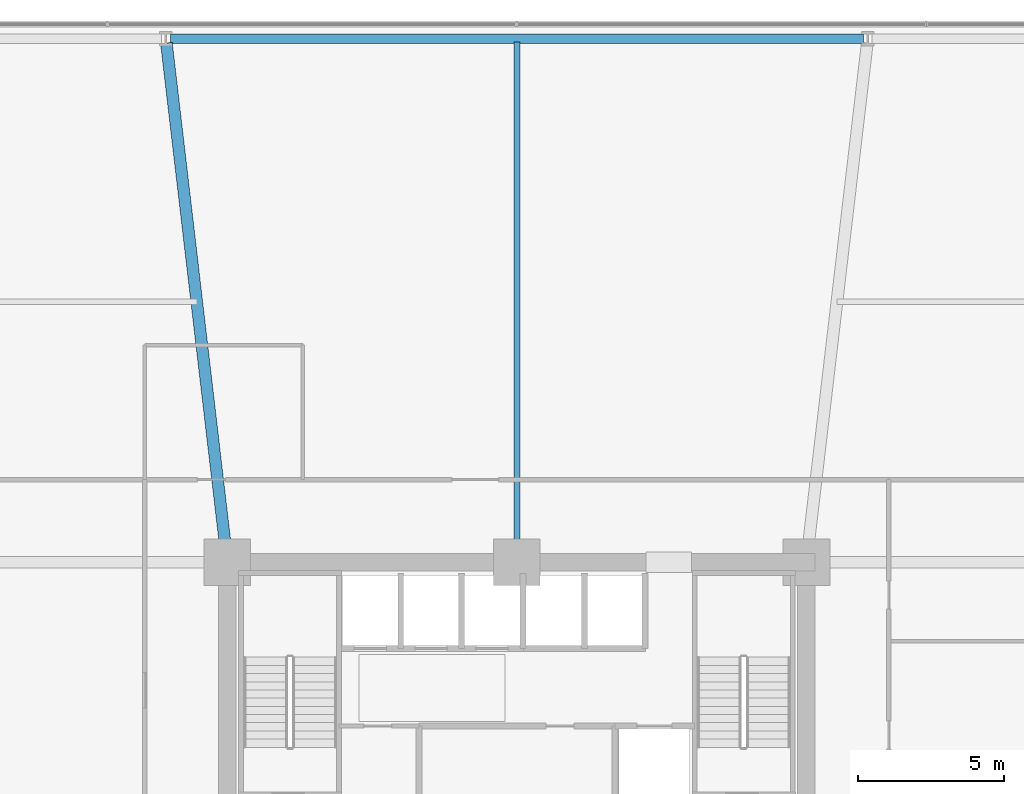
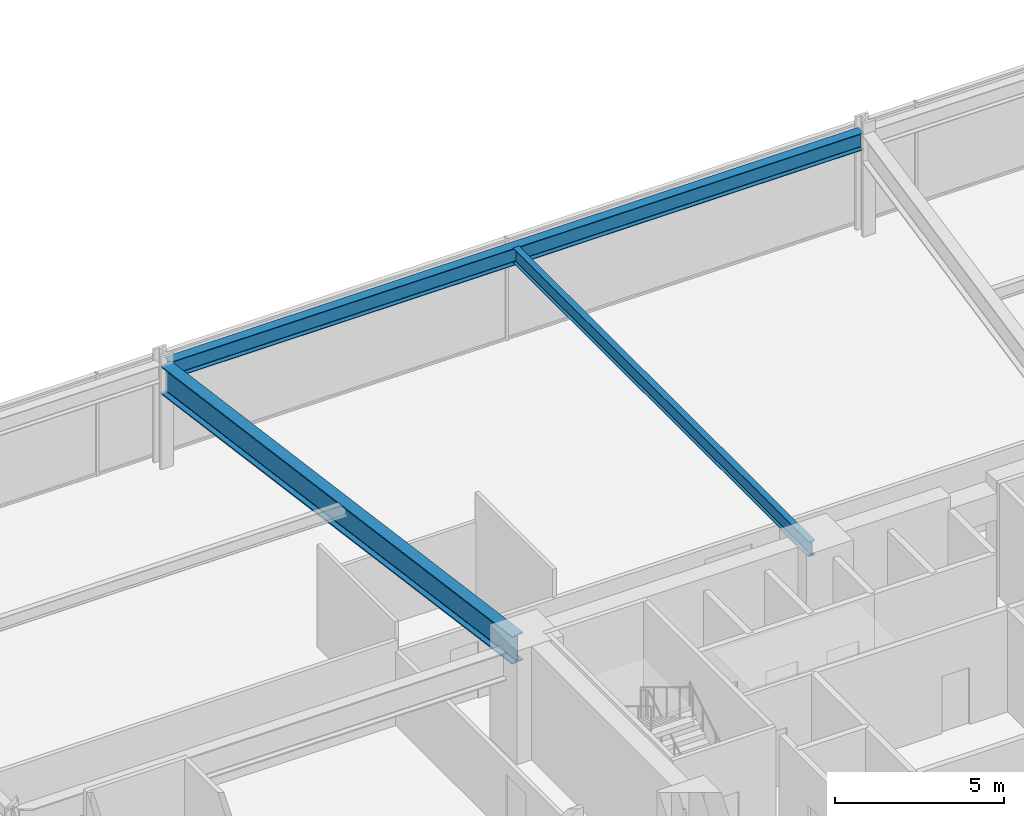
# One storey, part 25 of 39: 3 beams.
"""IFC4 building model written with IfcOpenShell, lengths in metres."""

from ifc_helpers import new_model, si_unit, direction, frame, origin, origin_2d, place, context, subcontext, project, spatial, i_section, extrude, material, material_profile, profile_set, type_object, element, save


model = new_model("IFC4")

# Units and contexts
model_context = context("Model", 3, precision=1e-05, world=origin(), true_north=direction((0.0, 1.0)))
body_context = subcontext(model_context, "Body", "Model", "MODEL_VIEW")
ifc_project = project(units=[si_unit("LENGTHUNIT", "METRE"), si_unit("AREAUNIT", "SQUARE_METRE"), si_unit("VOLUMEUNIT", "CUBIC_METRE"), si_unit("PLANEANGLEUNIT", "RADIAN"), si_unit("MASSUNIT", "GRAM", prefix="KILO")], contexts=[model_context])

# Site, building, storey
site_placement = place(None, origin())
site = spatial("IfcSite", under=ifc_project, at=site_placement, CompositionType="ELEMENT")
building_placement = place(site_placement, origin())
building = spatial("IfcBuilding", under=site, at=building_placement, Name="Kolvaren Belvedere", CompositionType="ELEMENT")
storey_placement = place(building_placement, frame((0.0, 0.0, 15.199951171875)))
storey = spatial("IfcBuildingStorey", under=building, at=storey_placement, Name="L04", CompositionType="ELEMENT", Elevation=15.199951171875)

# Beams
ifc_material_1 = material(Name="Structural steel ASTM A992 Grade 50", Category="steel")
ifc_material_profile_1 = material_profile(ifc_material_1, i_section(OverallWidth=0.40087890625, OverallDepth=1.010986328125, WebThickness=0.023681640625, FlangeThickness=0.0419921875, FilletRadius=0.030029296875, at=origin_2d()), Name="W40X297")
ifc_profile_set_1 = profile_set([ifc_material_profile_1], Name="Structural steel ASTM A992 Grade 50")
beam_type_1 = type_object("IfcBeamType", Name="BM-BALL-W40X297", PredefinedType="BEAM", material=ifc_profile_set_1)
beam_1_placement = place(storey_placement, frame((-9.952392578125, 10.346923828125, 3.194580078125), z_axis=(-0.116516841483, 0.993188716031, 0.0), x_axis=(-0.993188716031, -0.116516841483, 0.0)))
element("IfcBeam", 1, at=beam_1_placement, inside=storey, type_object=beam_type_1, Name="L04 North-West Radial Girder", PredefinedType="BEAM", context=body_context, shape_type="SweptSolid", body=[
    extrude(i_section(OverallWidth=0.40087890625, OverallDepth=1.010986328125, WebThickness=0.023681640625, FlangeThickness=0.0419921875, FilletRadius=0.030029296875, at=origin_2d()), origin(), (0.0, 0.0, 1.0), 17.422607421875),
])
ifc_material_2 = material(Name="Structural steel ASTM A992 Grade 50", Category="steel")
ifc_material_profile_2 = material_profile(ifc_material_2, i_section(OverallWidth=0.2099609375, OverallDepth=0.537109375, WebThickness=0.010986328125, FlangeThickness=0.017333984375, FilletRadius=0.01611328125, at=origin_2d()), Name="W21X68")
ifc_profile_set_2 = profile_set([ifc_material_profile_2], Name="Structural steel ASTM A992 Grade 50")
beam_type_2 = type_object("IfcBeamType", Name="BM-FLR-W21X68", PredefinedType="BEAM", material=ifc_profile_set_2)
beam_2_placement = place(storey_placement, frame((0.0, 10.14990234375, 3.431640625), z_axis=(0.0, 1.0, 0.0), x_axis=(-1.0, 0.0, 0.0)))
element("IfcBeam", 2, at=beam_2_placement, inside=storey, type_object=beam_type_2, Name="L04 North Centre Beam", PredefinedType="BEAM", context=body_context, shape_type="SweptSolid", body=[
    extrude(i_section(OverallWidth=0.2099609375, OverallDepth=0.537109375, WebThickness=0.010986328125, FlangeThickness=0.017333984375, FilletRadius=0.01611328125, at=origin_2d()), origin(), (0.0, 0.0, 1.0), 17.530029296875),
])
ifc_material_3 = material(Name="Structural steel ASTM A992 Grade 50", Category="steel")
ifc_material_profile_3 = material_profile(ifc_material_3, i_section(OverallWidth=0.324951171875, OverallDepth=0.615966796875, WebThickness=0.013916015625, FlangeThickness=0.021484375, FilletRadius=0.02001953125, at=origin_2d()), Name="W24X117")
ifc_profile_set_3 = profile_set([ifc_material_profile_3], Name="Structural steel ASTM A992 Grade 50")
beam_type_3 = type_object("IfcBeamType", Name="BM-SPAN-W24X117", PredefinedType="SPANDREL", material=ifc_profile_set_3)
beam_3_placement = place(storey_placement, frame((-11.85009765625, 27.800048828125, 3.39208984375), z_axis=(1.0, 0.0, 0.0), x_axis=(0.0, 1.0, 0.0)))
element("IfcBeam", 3, at=beam_3_placement, inside=storey, type_object=beam_type_3, Name="L04 North Podium Spandrel 2", PredefinedType="SPANDREL", context=body_context, shape_type="SweptSolid", body=[
    extrude(i_section(OverallWidth=0.324951171875, OverallDepth=0.615966796875, WebThickness=0.013916015625, FlangeThickness=0.021484375, FilletRadius=0.02001953125, at=origin_2d()), origin(), (0.0, 0.0, 1.0), 23.7001953125),
])

save(model, "model.ifc")
